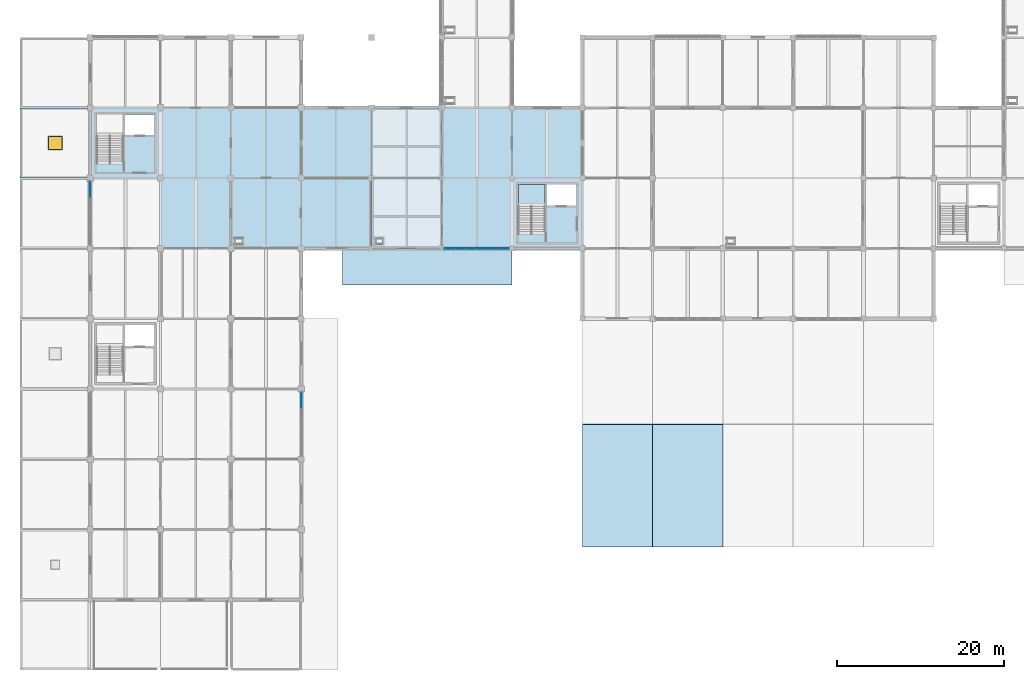
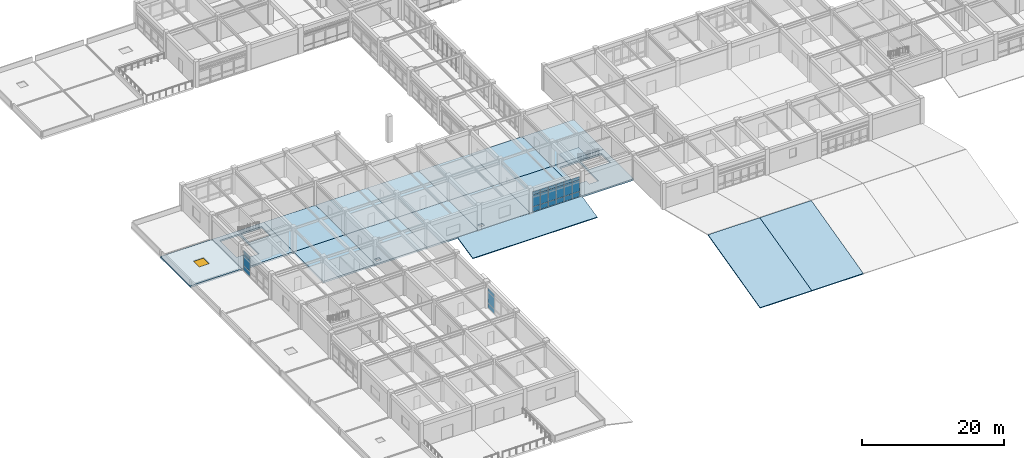
# One storey, part 43 of 78: 24 plates, 18 slabs, 1 window, 1 opening, 4 elements without a shape of their own.
"""IFC4 building model written with IfcOpenShell, lengths in metres."""

from ifc_helpers import new_model, si_unit, direction, frame, origin, origin_2d, place, context, subcontext, project, spatial, polyline, rectangle, outline, extrude, material, layer, layer_set, type_object, element, fill, aggregate, save


model = new_model("IFC4")

# Units and contexts
model_context = context("Model", 3, precision=1e-05, world=origin(), true_north=direction((0.0, 1.0)))
body_context = subcontext(model_context, "Body", "Model", "MODEL_VIEW")
ifc_project = project(units=[si_unit("LENGTHUNIT", "METRE"), si_unit("AREAUNIT", "SQUARE_METRE"), si_unit("VOLUMEUNIT", "CUBIC_METRE"), si_unit("PLANEANGLEUNIT", "RADIAN"), si_unit("MASSUNIT", "GRAM", prefix="KILO")], contexts=[model_context])

# Site, building, storey
site_placement = place(None, origin())
site = spatial("IfcSite", under=ifc_project, at=site_placement, CompositionType="ELEMENT")
building_placement = place(site_placement, origin())
building = spatial("IfcBuilding", under=site, at=building_placement, Name="Porcellanite Civic Hall", CompositionType="ELEMENT")
storey_placement = place(building_placement, frame((0.0, 0.0, 10.260009765625)))
storey = spatial("IfcBuildingStorey", under=building, at=storey_placement, Name="L02", CompositionType="ELEMENT", Elevation=10.260009765625)

# Curtain wall, plates
ifc_material_1 = material(Name="Anodised aluminium and solar laminated glass", Category="aluminium")
ifc_layer_1 = layer(ifc_material_1, 0.179931640625)
ifc_layer_set_1 = layer_set([ifc_layer_1], Name="Anodised aluminium and solar laminated glass")
curtain_wall_type_1 = type_object("IfcCurtainWallType", Name="CW-SYS07", PredefinedType="NOTDEFINED", material=ifc_layer_set_1)
curtain_wall_1_placement = place(storey_placement, origin())
curtain_wall_1 = element("IfcCurtainWall", 1, at=curtain_wall_1_placement, inside=storey, type_object=curtain_wall_type_1, Name="Curtain wall CW-141", PredefinedType="NOTDEFINED")
ifc_material_2 = material(Name="Cyclone laminated solar-control low-E glass", Category="glass")
ifc_layer_2 = layer(ifc_material_2, 0.02587890625)
ifc_layer_set_2 = layer_set([ifc_layer_2], Name="Cyclone laminated solar-control low-E glass")
plate_type_1 = type_object("IfcPlateType", Name="CWP-02", PredefinedType="CURTAIN_PANEL", material=ifc_layer_set_2)
plate_1_placement = place(storey_placement, frame((57.836181640625, 50.39990234375, 0.0498046875), z_axis=(0.0, 0.0, 1.0), x_axis=(-1.0, 0.0, 0.0)))
plate_1 = element("IfcPlate", 2, at=plate_1_placement, type_object=plate_type_1, Name="CW-141 panel 1.1", PredefinedType="CURTAIN_PANEL", context=body_context, shape_type="SweptSolid", body=[
    extrude(rectangle(XDim=1.20556640625, YDim=0.02587890625, at=origin_2d()), origin(), (0.0, 0.0, 1.0), 0.824951171875),
])
plate_2_placement = place(storey_placement, frame((57.836181640625, 50.39990234375, 0.925048828125), z_axis=(0.0, 0.0, 1.0), x_axis=(-1.0, 0.0, 0.0)))
plate_2 = element("IfcPlate", 3, at=plate_2_placement, type_object=plate_type_1, Name="CW-141 panel 1.2", PredefinedType="CURTAIN_PANEL", context=body_context, shape_type="SweptSolid", body=[
    extrude(rectangle(XDim=1.20556640625, YDim=0.02587890625, at=origin_2d()), origin(), (0.0, 0.0, 1.0), 1.93994140625),
])
plate_3_placement = place(storey_placement, frame((57.836181640625, 50.39990234375, 2.9150390625), z_axis=(0.0, 0.0, 1.0), x_axis=(-1.0, 0.0, 0.0)))
plate_3 = element("IfcPlate", 4, at=plate_3_placement, type_object=plate_type_1, Name="CW-141 panel 1.3", PredefinedType="CURTAIN_PANEL", context=body_context, shape_type="SweptSolid", body=[
    extrude(rectangle(XDim=1.20556640625, YDim=0.02587890625, at=origin_2d()), origin(), (0.0, 0.0, 1.0), 0.574951171875),
])
plate_4_placement = place(storey_placement, frame((56.5556640625, 50.39990234375, 0.0498046875), z_axis=(0.0, 0.0, 1.0), x_axis=(-1.0, 0.0, 0.0)))
plate_4 = element("IfcPlate", 5, at=plate_4_placement, type_object=plate_type_1, Name="CW-141 panel 2.1", PredefinedType="CURTAIN_PANEL", context=body_context, shape_type="SweptSolid", body=[
    extrude(rectangle(XDim=1.235595703125, YDim=0.02587890625, at=origin_2d()), origin(), (0.0, 0.0, 1.0), 0.824951171875),
])
plate_5_placement = place(storey_placement, frame((56.5556640625, 50.39990234375, 0.925048828125), z_axis=(0.0, 0.0, 1.0), x_axis=(-1.0, 0.0, 0.0)))
plate_5 = element("IfcPlate", 6, at=plate_5_placement, type_object=plate_type_1, Name="CW-141 panel 2.2", PredefinedType="CURTAIN_PANEL", context=body_context, shape_type="SweptSolid", body=[
    extrude(rectangle(XDim=1.235595703125, YDim=0.02587890625, at=origin_2d()), origin(), (0.0, 0.0, 1.0), 1.93994140625),
])
plate_6_placement = place(storey_placement, frame((56.5556640625, 50.39990234375, 2.9150390625), z_axis=(0.0, 0.0, 1.0), x_axis=(-1.0, 0.0, 0.0)))
plate_6 = element("IfcPlate", 7, at=plate_6_placement, type_object=plate_type_1, Name="CW-141 panel 2.3", PredefinedType="CURTAIN_PANEL", context=body_context, shape_type="SweptSolid", body=[
    extrude(rectangle(XDim=1.235595703125, YDim=0.02587890625, at=origin_2d()), origin(), (0.0, 0.0, 1.0), 0.574951171875),
])
plate_7_placement = place(storey_placement, frame((55.26025390625, 50.39990234375, 0.0498046875), z_axis=(0.0, 0.0, 1.0), x_axis=(-1.0, 0.0, 0.0)))
plate_7 = element("IfcPlate", 8, at=plate_7_placement, type_object=plate_type_1, Name="CW-141 panel 3.1", PredefinedType="CURTAIN_PANEL", context=body_context, shape_type="SweptSolid", body=[
    extrude(rectangle(XDim=1.235595703125, YDim=0.02587890625, at=origin_2d()), origin(), (0.0, 0.0, 1.0), 0.824951171875),
])
plate_8_placement = place(storey_placement, frame((55.26025390625, 50.39990234375, 0.925048828125), z_axis=(0.0, 0.0, 1.0), x_axis=(-1.0, 0.0, 0.0)))
plate_8 = element("IfcPlate", 9, at=plate_8_placement, type_object=plate_type_1, Name="CW-141 panel 3.2", PredefinedType="CURTAIN_PANEL", context=body_context, shape_type="SweptSolid", body=[
    extrude(rectangle(XDim=1.235595703125, YDim=0.02587890625, at=origin_2d()), origin(), (0.0, 0.0, 1.0), 1.93994140625),
])
plate_9_placement = place(storey_placement, frame((55.26025390625, 50.39990234375, 2.9150390625), z_axis=(0.0, 0.0, 1.0), x_axis=(-1.0, 0.0, 0.0)))
plate_9 = element("IfcPlate", 10, at=plate_9_placement, type_object=plate_type_1, Name="CW-141 panel 3.3", PredefinedType="CURTAIN_PANEL", context=body_context, shape_type="SweptSolid", body=[
    extrude(rectangle(XDim=1.235595703125, YDim=0.02587890625, at=origin_2d()), origin(), (0.0, 0.0, 1.0), 0.574951171875),
])
plate_10_placement = place(storey_placement, frame((53.96484375, 50.39990234375, 0.0498046875), z_axis=(0.0, 0.0, 1.0), x_axis=(-1.0, 0.0, 0.0)))
plate_10 = element("IfcPlate", 11, at=plate_10_placement, type_object=plate_type_1, Name="CW-141 panel 4.1", PredefinedType="CURTAIN_PANEL", context=body_context, shape_type="SweptSolid", body=[
    extrude(rectangle(XDim=1.235595703125, YDim=0.02587890625, at=origin_2d()), origin(), (0.0, 0.0, 1.0), 0.824951171875),
])
plate_11_placement = place(storey_placement, frame((53.96484375, 50.39990234375, 0.925048828125), z_axis=(0.0, 0.0, 1.0), x_axis=(-1.0, 0.0, 0.0)))
plate_11 = element("IfcPlate", 12, at=plate_11_placement, type_object=plate_type_1, Name="CW-141 panel 4.2", PredefinedType="CURTAIN_PANEL", context=body_context, shape_type="SweptSolid", body=[
    extrude(rectangle(XDim=1.235595703125, YDim=0.02587890625, at=origin_2d()), origin(), (0.0, 0.0, 1.0), 1.93994140625),
])
plate_12_placement = place(storey_placement, frame((53.96484375, 50.39990234375, 2.9150390625), z_axis=(0.0, 0.0, 1.0), x_axis=(-1.0, 0.0, 0.0)))
plate_12 = element("IfcPlate", 13, at=plate_12_placement, type_object=plate_type_1, Name="CW-141 panel 4.3", PredefinedType="CURTAIN_PANEL", context=body_context, shape_type="SweptSolid", body=[
    extrude(rectangle(XDim=1.235595703125, YDim=0.02587890625, at=origin_2d()), origin(), (0.0, 0.0, 1.0), 0.574951171875),
])
plate_13_placement = place(storey_placement, frame((52.669189453125, 50.39990234375, 0.0498046875), z_axis=(0.0, 0.0, 1.0), x_axis=(-1.0, 0.0, 0.0)))
plate_13 = element("IfcPlate", 14, at=plate_13_placement, type_object=plate_type_1, Name="CW-141 panel 5.1", PredefinedType="CURTAIN_PANEL", context=body_context, shape_type="SweptSolid", body=[
    extrude(rectangle(XDim=1.235595703125, YDim=0.02587890625, at=origin_2d()), origin(), (0.0, 0.0, 1.0), 0.824951171875),
])
plate_14_placement = place(storey_placement, frame((52.669189453125, 50.39990234375, 0.925048828125), z_axis=(0.0, 0.0, 1.0), x_axis=(-1.0, 0.0, 0.0)))
plate_14 = element("IfcPlate", 15, at=plate_14_placement, type_object=plate_type_1, Name="CW-141 panel 5.2", PredefinedType="CURTAIN_PANEL", context=body_context, shape_type="SweptSolid", body=[
    extrude(rectangle(XDim=1.235595703125, YDim=0.02587890625, at=origin_2d()), origin(), (0.0, 0.0, 1.0), 1.93994140625),
])
plate_15_placement = place(storey_placement, frame((52.669189453125, 50.39990234375, 2.9150390625), z_axis=(0.0, 0.0, 1.0), x_axis=(-1.0, 0.0, 0.0)))
plate_15 = element("IfcPlate", 16, at=plate_15_placement, type_object=plate_type_1, Name="CW-141 panel 5.3", PredefinedType="CURTAIN_PANEL", context=body_context, shape_type="SweptSolid", body=[
    extrude(rectangle(XDim=1.235595703125, YDim=0.02587890625, at=origin_2d()), origin(), (0.0, 0.0, 1.0), 0.574951171875),
])
plate_16_placement = place(storey_placement, frame((51.388671875, 50.39990234375, 0.0498046875), z_axis=(0.0, 0.0, 1.0), x_axis=(-1.0, 0.0, 0.0)))
plate_16 = element("IfcPlate", 17, at=plate_16_placement, type_object=plate_type_1, Name="CW-141 panel 6.1", PredefinedType="CURTAIN_PANEL", context=body_context, shape_type="SweptSolid", body=[
    extrude(rectangle(XDim=1.20556640625, YDim=0.02587890625, at=origin_2d()), origin(), (0.0, 0.0, 1.0), 0.824951171875),
])
plate_17_placement = place(storey_placement, frame((51.388671875, 50.39990234375, 0.925048828125), z_axis=(0.0, 0.0, 1.0), x_axis=(-1.0, 0.0, 0.0)))
plate_17 = element("IfcPlate", 18, at=plate_17_placement, type_object=plate_type_1, Name="CW-141 panel 6.2", PredefinedType="CURTAIN_PANEL", context=body_context, shape_type="SweptSolid", body=[
    extrude(rectangle(XDim=1.20556640625, YDim=0.02587890625, at=origin_2d()), origin(), (0.0, 0.0, 1.0), 1.93994140625),
])
plate_18_placement = place(storey_placement, frame((51.388671875, 50.39990234375, 2.9150390625), z_axis=(0.0, 0.0, 1.0), x_axis=(-1.0, 0.0, 0.0)))
plate_18 = element("IfcPlate", 19, at=plate_18_placement, type_object=plate_type_1, Name="CW-141 panel 6.3", PredefinedType="CURTAIN_PANEL", context=body_context, shape_type="SweptSolid", body=[
    extrude(rectangle(XDim=1.20556640625, YDim=0.02587890625, at=origin_2d()), origin(), (0.0, 0.0, 1.0), 0.574951171875),
])
aggregate(curtain_wall_1, [plate_1, plate_2, plate_3, plate_4, plate_5, plate_6, plate_7, plate_8, plate_9, plate_10, plate_11, plate_12, plate_13, plate_14, plate_15, plate_16, plate_17, plate_18])

ifc_material_3 = material(Name="Anodised aluminium and solar laminated glass", Category="aluminium")
ifc_layer_3 = layer(ifc_material_3, 0.179931640625)
ifc_layer_set_3 = layer_set([ifc_layer_3], Name="Anodised aluminium and solar laminated glass")
curtain_wall_type_2 = type_object("IfcCurtainWallType", Name="CW-SYS05", PredefinedType="NOTDEFINED", material=ifc_layer_set_3)
curtain_wall_2_placement = place(storey_placement, origin())
curtain_wall_2 = element("IfcCurtainWall", 20, at=curtain_wall_2_placement, inside=storey, type_object=curtain_wall_type_2, Name="Curtain wall CW-133", PredefinedType="NOTDEFINED")
ifc_material_4 = material(Name="Cyclone laminated solar-control low-E glass", Category="glass")
ifc_layer_4 = layer(ifc_material_4, 0.028076171875)
ifc_layer_set_4 = layer_set([ifc_layer_4], Name="Cyclone laminated solar-control low-E glass")
plate_type_2 = type_object("IfcPlateType", Name="CWP-03", PredefinedType="CURTAIN_PANEL", material=ifc_layer_set_4)
plate_19_placement = place(storey_placement, frame((8.39990234375, 57.447265625, 0.06005859375), z_axis=(0.0, 0.0, 1.0), x_axis=(0.0, 1.0, 0.0)))
plate_19 = element("IfcPlate", 21, at=plate_19_placement, type_object=plate_type_2, Name="CW-133 panel 4.1", PredefinedType="CURTAIN_PANEL", context=body_context, shape_type="SweptSolid", body=[
    extrude(rectangle(XDim=1.813232421875, YDim=0.028076171875, at=origin_2d()), origin(), (0.0, 0.0, 1.0), 0.81005859375),
])
plate_20_placement = place(storey_placement, frame((8.39990234375, 57.447265625, 0.93017578125), z_axis=(0.0, 0.0, 1.0), x_axis=(0.0, 1.0, 0.0)))
plate_20 = element("IfcPlate", 22, at=plate_20_placement, type_object=plate_type_2, Name="CW-133 panel 4.2", PredefinedType="CURTAIN_PANEL", context=body_context, shape_type="SweptSolid", body=[
    extrude(rectangle(XDim=1.813232421875, YDim=0.028076171875, at=origin_2d()), origin(), (0.0, 0.0, 1.0), 1.929931640625),
])
plate_21_placement = place(storey_placement, frame((8.39990234375, 57.447265625, 2.919921875), z_axis=(0.0, 0.0, 1.0), x_axis=(0.0, 1.0, 0.0)))
plate_21 = element("IfcPlate", 23, at=plate_21_placement, type_object=plate_type_2, Name="CW-133 panel 4.3", PredefinedType="CURTAIN_PANEL", context=body_context, shape_type="SweptSolid", body=[
    extrude(rectangle(XDim=1.813232421875, YDim=0.028076171875, at=origin_2d()), origin(), (0.0, 0.0, 1.0), 0.56005859375),
])
aggregate(curtain_wall_2, [plate_19, plate_20, plate_21])

curtain_wall_3_placement = place(storey_placement, origin())
curtain_wall_3 = element("IfcCurtainWall", 24, at=curtain_wall_3_placement, inside=storey, type_object=curtain_wall_type_2, Name="Curtain wall CW-135", PredefinedType="NOTDEFINED")
plate_22_placement = place(storey_placement, frame((33.60009765625, 32.247314453125, 0.06005859375), z_axis=(0.0, 0.0, 1.0), x_axis=(0.0, -1.0, 0.0)))
plate_22 = element("IfcPlate", 25, at=plate_22_placement, type_object=plate_type_2, Name="CW-135 panel 1.1", PredefinedType="CURTAIN_PANEL", context=body_context, shape_type="SweptSolid", body=[
    extrude(rectangle(XDim=1.813232421875, YDim=0.028076171875, at=origin_2d()), origin(), (0.0, 0.0, 1.0), 0.81005859375),
])
plate_23_placement = place(storey_placement, frame((33.60009765625, 32.247314453125, 0.93017578125), z_axis=(0.0, 0.0, 1.0), x_axis=(0.0, -1.0, 0.0)))
plate_23 = element("IfcPlate", 26, at=plate_23_placement, type_object=plate_type_2, Name="CW-135 panel 1.2", PredefinedType="CURTAIN_PANEL", context=body_context, shape_type="SweptSolid", body=[
    extrude(rectangle(XDim=1.813232421875, YDim=0.028076171875, at=origin_2d()), origin(), (0.0, 0.0, 1.0), 1.929931640625),
])
plate_24_placement = place(storey_placement, frame((33.60009765625, 32.247314453125, 2.919921875), z_axis=(0.0, 0.0, 1.0), x_axis=(0.0, -1.0, 0.0)))
plate_24 = element("IfcPlate", 27, at=plate_24_placement, type_object=plate_type_2, Name="CW-135 panel 1.3", PredefinedType="CURTAIN_PANEL", context=body_context, shape_type="SweptSolid", body=[
    extrude(rectangle(XDim=1.813232421875, YDim=0.028076171875, at=origin_2d()), origin(), (0.0, 0.0, 1.0), 0.56005859375),
])
aggregate(curtain_wall_3, [plate_22, plate_23, plate_24])

# Stair, slab
ifc_material_5 = material(Name="Concrete N40 (40 MPa)", Category="concrete")
stair_type = type_object("IfcStairType", Name="STR-HT25", PredefinedType="HALF_TURN_STAIR", material=ifc_material_5)
stair_placement = place(storey_placement, origin())
stair = element("IfcStair", 28, at=stair_placement, inside=storey, type_object=stair_type, Name="Fire stair ST-05 L02", PredefinedType="HALF_TURN_STAIR")
ifc_material_6 = material(Name="Concrete N40 (40 MPa)", Category="concrete")
ifc_layer_5 = layer(ifc_material_6, 0.179931640625)
ifc_layer_set_5 = layer_set([ifc_layer_5], Name="Concrete N40 (40 MPa)")
slab_type_1 = type_object("IfcSlabType", Name="LND-18", PredefinedType="LANDING", material=ifc_layer_set_5)
slab_1_placement = place(storey_placement, frame((0.0, 0.0, 2.159912109375)))
slab_1 = element("IfcSlab", 29, at=slab_1_placement, type_object=slab_type_1, Name="ST-05 landing 1", PredefinedType="LANDING", context=body_context, shape_type="SweptSolid", body=[
    extrude(outline(polyline([(59.560546875, 55.425048828125), (62.719482421875, 55.425048828125), (62.719482421875, 58.03955078125), (59.560546875, 58.03955078125), (59.560546875, 55.425048828125)])), origin(), (0.0, 0.0, 1.0), 0.18017578125),
])
aggregate(stair, [slab_1])

# Slabs
ifc_material_7 = material(Name="Concrete N40 (40 MPa)", Category="concrete")
ifc_layer_6 = layer(ifc_material_7, 0.280029296875)
ifc_layer_set_6 = layer_set([ifc_layer_6], Name="Concrete N40 (40 MPa)")
slab_type_2 = type_object("IfcSlabType", Name="SL-FL280", PredefinedType="FLOOR", material=ifc_layer_set_6)
slab_2_placement = place(storey_placement, frame((0.0, 0.0, -0.280029296875)))
element("IfcSlab", 30, at=slab_2_placement, inside=storey, type_object=slab_type_2, Name="Slab L02 bay 2-8", PredefinedType="FLOOR", context=body_context, shape_type="SweptSolid", body=[
    extrude(outline(polyline([(8.39990234375, 58.800048828125), (16.800048828125, 58.800048828125), (16.800048828125, 67.199951171875), (8.39990234375, 67.199951171875), (8.39990234375, 58.800048828125)]), holes=[polyline([(9.179931640625, 61.64990234375), (10.760009765625, 61.64990234375), (10.760009765625, 60.800048828125), (12.320068359375, 60.800048828125), (12.320068359375, 66.419921875), (9.179931640625, 66.419921875), (9.179931640625, 61.64990234375)]), polyline([(12.56005859375, 63.93994140625), (16.02001953125, 63.93994140625), (16.02001953125, 66.419921875), (12.56005859375, 66.419921875), (12.56005859375, 63.93994140625)])]), origin(), (0.0, 0.0, 1.0), 0.280029296875),
])
slab_3_placement = place(storey_placement, frame((0.0, 0.0, -0.280029296875)))
element("IfcSlab", 31, at=slab_3_placement, inside=storey, type_object=slab_type_2, Name="Slab L02 bay 3-7", PredefinedType="FLOOR", context=body_context, shape_type="SweptSolid", body=[
    extrude(outline(polyline([(16.800048828125, 50.39990234375), (25.199951171875, 50.39990234375), (25.199951171875, 58.800048828125), (16.800048828125, 58.800048828125), (16.800048828125, 50.39990234375)])), origin(), (0.0, 0.0, 1.0), 0.280029296875),
])
slab_4_placement = place(storey_placement, frame((0.0, 0.0, -0.280029296875)))
element("IfcSlab", 32, at=slab_4_placement, inside=storey, type_object=slab_type_2, Name="Slab L02 bay 3-8", PredefinedType="FLOOR", context=body_context, shape_type="SweptSolid", body=[
    extrude(outline(polyline([(16.800048828125, 58.800048828125), (25.199951171875, 58.800048828125), (25.199951171875, 67.199951171875), (16.800048828125, 67.199951171875), (16.800048828125, 58.800048828125)])), origin(), (0.0, 0.0, 1.0), 0.280029296875),
])
slab_5_placement = place(storey_placement, frame((0.0, 0.0, -0.280029296875)))
element("IfcSlab", 33, at=slab_5_placement, inside=storey, type_object=slab_type_2, Name="Slab L02 bay 4-7", PredefinedType="FLOOR", context=body_context, shape_type="SweptSolid", body=[
    extrude(outline(polyline([(25.199951171875, 50.39990234375), (33.60009765625, 50.39990234375), (33.60009765625, 58.800048828125), (25.199951171875, 58.800048828125), (25.199951171875, 50.39990234375)]), holes=[polyline([(25.75, 50.949951171875), (26.550048828125, 50.949951171875), (26.550048828125, 51.550048828125), (25.75, 51.550048828125), (25.75, 50.949951171875)])]), origin(), (0.0, 0.0, 1.0), 0.280029296875),
])
slab_6_placement = place(storey_placement, frame((0.0, 0.0, -0.280029296875)))
element("IfcSlab", 34, at=slab_6_placement, inside=storey, type_object=slab_type_2, Name="Slab L02 bay 4-8", PredefinedType="FLOOR", context=body_context, shape_type="SweptSolid", body=[
    extrude(outline(polyline([(25.199951171875, 58.800048828125), (33.60009765625, 58.800048828125), (33.60009765625, 67.199951171875), (25.199951171875, 67.199951171875), (25.199951171875, 58.800048828125)])), origin(), (0.0, 0.0, 1.0), 0.280029296875),
])
slab_7_placement = place(storey_placement, frame((0.0, 0.0, -0.280029296875)))
element("IfcSlab", 35, at=slab_7_placement, inside=storey, type_object=slab_type_2, Name="Slab L02 bay 5-7", PredefinedType="FLOOR", context=body_context, shape_type="SweptSolid", body=[
    extrude(outline(polyline([(33.60009765625, 50.39990234375), (42.0, 50.39990234375), (42.0, 58.800048828125), (33.60009765625, 58.800048828125), (33.60009765625, 50.39990234375)])), origin(), (0.0, 0.0, 1.0), 0.280029296875),
])
slab_8_placement = place(storey_placement, frame((0.0, 0.0, -0.280029296875)))
element("IfcSlab", 36, at=slab_8_placement, inside=storey, type_object=slab_type_2, Name="Slab L02 bay 5-8", PredefinedType="FLOOR", context=body_context, shape_type="SweptSolid", body=[
    extrude(outline(polyline([(33.60009765625, 58.800048828125), (42.0, 58.800048828125), (42.0, 67.199951171875), (33.60009765625, 67.199951171875), (33.60009765625, 58.800048828125)])), origin(), (0.0, 0.0, 1.0), 0.280029296875),
])
slab_9_placement = place(storey_placement, frame((0.0, 0.0, -0.280029296875)))
element("IfcSlab", 37, at=slab_9_placement, inside=storey, type_object=slab_type_2, Name="Slab L02 bay 6-7", PredefinedType="FLOOR", context=body_context, shape_type="SweptSolid", body=[
    extrude(outline(polyline([(42.0, 50.39990234375), (50.39990234375, 50.39990234375), (50.39990234375, 58.800048828125), (42.0, 58.800048828125), (42.0, 50.39990234375)]), holes=[polyline([(42.550048828125, 50.949951171875), (43.35009765625, 50.949951171875), (43.35009765625, 51.550048828125), (42.550048828125, 51.550048828125), (42.550048828125, 50.949951171875)])]), origin(), (0.0, 0.0, 1.0), 0.280029296875),
])
slab_10_placement = place(storey_placement, frame((0.0, 0.0, -0.280029296875)))
element("IfcSlab", 38, at=slab_10_placement, inside=storey, type_object=slab_type_2, Name="Slab L02 bay 6-8", PredefinedType="FLOOR", context=body_context, shape_type="SweptSolid", body=[
    extrude(outline(polyline([(42.0, 58.800048828125), (50.39990234375, 58.800048828125), (50.39990234375, 67.199951171875), (42.0, 67.199951171875), (42.0, 58.800048828125)])), origin(), (0.0, 0.0, 1.0), 0.280029296875),
])
slab_11_placement = place(storey_placement, frame((0.0, 0.0, -0.280029296875)))
element("IfcSlab", 39, at=slab_11_placement, inside=storey, type_object=slab_type_2, Name="Slab L02 bay 7-7", PredefinedType="FLOOR", context=body_context, shape_type="SweptSolid", body=[
    extrude(outline(polyline([(50.39990234375, 50.39990234375), (58.800048828125, 50.39990234375), (58.800048828125, 58.800048828125), (50.39990234375, 58.800048828125), (50.39990234375, 50.39990234375)])), origin(), (0.0, 0.0, 1.0), 0.280029296875),
])
slab_12_placement = place(storey_placement, frame((0.0, 0.0, -0.280029296875)))
element("IfcSlab", 40, at=slab_12_placement, inside=storey, type_object=slab_type_2, Name="Slab L02 bay 7-8", PredefinedType="FLOOR", context=body_context, shape_type="SweptSolid", body=[
    extrude(outline(polyline([(50.39990234375, 58.800048828125), (58.800048828125, 58.800048828125), (58.800048828125, 67.199951171875), (50.39990234375, 67.199951171875), (50.39990234375, 58.800048828125)])), origin(), (0.0, 0.0, 1.0), 0.280029296875),
])
slab_13_placement = place(storey_placement, frame((0.0, 0.0, -0.280029296875)))
element("IfcSlab", 41, at=slab_13_placement, inside=storey, type_object=slab_type_2, Name="Slab L02 bay 8-7", PredefinedType="FLOOR", context=body_context, shape_type="SweptSolid", body=[
    extrude(outline(polyline([(58.800048828125, 50.39990234375), (67.199951171875, 50.39990234375), (67.199951171875, 58.800048828125), (58.800048828125, 58.800048828125), (58.800048828125, 50.39990234375)]), holes=[polyline([(59.580078125, 53.25), (61.159912109375, 53.25), (61.159912109375, 52.39990234375), (62.719970703125, 52.39990234375), (62.719970703125, 58.02001953125), (59.580078125, 58.02001953125), (59.580078125, 53.25)]), polyline([(62.9599609375, 55.5400390625), (66.419921875, 55.5400390625), (66.419921875, 58.02001953125), (62.9599609375, 58.02001953125), (62.9599609375, 55.5400390625)])]), origin(), (0.0, 0.0, 1.0), 0.280029296875),
])
slab_14_placement = place(storey_placement, frame((0.0, 0.0, -0.280029296875)))
element("IfcSlab", 42, at=slab_14_placement, inside=storey, type_object=slab_type_2, Name="Slab L02 bay 8-8", PredefinedType="FLOOR", context=body_context, shape_type="SweptSolid", body=[
    extrude(outline(polyline([(58.800048828125, 58.800048828125), (67.199951171875, 58.800048828125), (67.199951171875, 67.199951171875), (58.800048828125, 67.199951171875), (58.800048828125, 58.800048828125)])), origin(), (0.0, 0.0, 1.0), 0.280029296875),
])
ifc_material_8 = material(Name="Concrete N40 (40 MPa)", Category="concrete")
ifc_layer_7 = layer(ifc_material_8, 0.159912109375)
ifc_layer_set_7 = layer_set([ifc_layer_7], Name="Concrete N40 (40 MPa)")
slab_type_3 = type_object("IfcSlabType", Name="SL-MON160", PredefinedType="ROOF", material=ifc_layer_set_7)
slab_15_placement = place(storey_placement, frame((67.199951171875, 14.699951171875, -0.523681640625), z_axis=(0.0, -0.241927454458, 0.97029434028), x_axis=(1.0, 0.0, 0.0)))
element("IfcSlab", 43, at=slab_15_placement, inside=storey, type_object=slab_type_3, Name="Public Hall monsoon roof south 8", PredefinedType="ROOF", context=body_context, shape_type="SweptSolid", body=[
    extrude(outline(polyline([(0.0, 0.0), (8.400146484375, 0.0), (8.400146484375, 15.11401072201141), (0.0, 15.11401072201141), (0.0, 0.0)])), origin(), (0.0, 0.0, -1.0), 0.159912109375),
])
slab_16_placement = place(storey_placement, frame((75.60009765625, 14.699951171875, -0.523681640625), z_axis=(0.0, -0.241927454458, 0.97029434028), x_axis=(1.0, 0.0, 0.0)))
element("IfcSlab", 44, at=slab_16_placement, inside=storey, type_object=slab_type_3, Name="Public Hall monsoon roof south 9", PredefinedType="ROOF", context=body_context, shape_type="SweptSolid", body=[
    extrude(outline(polyline([(0.0, 0.0), (8.39990234375, 0.0), (8.39990234375, 15.114010722011411), (0.0, 15.114010722011411), (0.0, 0.0)])), origin(), (0.0, 0.0, -1.0), 0.159912109375),
])
slab_17_placement = place(storey_placement, frame((38.550048828125, 46.0, -0.9755859375), z_axis=(0.0, -0.2182604073, 0.975890564872), x_axis=(1.0, 0.0, 0.0)))
element("IfcSlab", 45, at=slab_17_placement, inside=storey, type_object=slab_type_3, Name="Square colonnade monsoon roof COL-NW", PredefinedType="ROOF", context=body_context, shape_type="SweptSolid", body=[
    extrude(outline(polyline([(0.0, 0.0), (20.25, 0.0), (20.25, 4.469825515168482), (0.0, 4.469825515168482), (0.0, 0.0)])), origin(), (0.0, 0.0, -1.0), 0.159912109375),
])

# Slab, opening, window
ifc_material_9 = material(Name="Concrete N40 (40 MPa)", Category="concrete")
ifc_layer_8 = layer(ifc_material_9, 0.300048828125)
ifc_layer_set_8 = layer_set([ifc_layer_8], Name="Concrete N40 (40 MPa)")
slab_type_4 = type_object("IfcSlabType", Name="SL-RF300", PredefinedType="ROOF", material=ifc_layer_set_8)
slab_18_placement = place(storey_placement, frame((0.0, 0.0, -0.300048828125)))
slab_18 = element("IfcSlab", 46, at=slab_18_placement, inside=storey, type_object=slab_type_4, Name="Roof slab L02 1-8", PredefinedType="ROOF", context=body_context, shape_type="SweptSolid", body=[
    extrude(outline(polyline([(0.0, 58.800048828125), (8.39990234375, 58.800048828125), (8.39990234375, 67.199951171875), (0.0, 67.199951171875), (0.0, 58.800048828125)])), origin(), (0.0, 0.0, 1.0), 0.300048828125),
])
opening_placement = place(slab_18_placement, frame((4.199951171875, 63.0, 0.0)))
opening = element("IfcOpeningElement", 47, at=opening_placement, cuts=slab_18, Name="Opening SK8", PredefinedType="OPENING", context=body_context, shape_type="SweptSolid", body=[
    extrude(rectangle(XDim=1.60009765625, YDim=1.60009765625, at=origin_2d()), origin(), (0.0, 0.0, 1.0), 0.300048828125),
])
ifc_material_10 = material(Name="Cyclone laminated low-E glazing in anodised aluminium frame", Category="aluminium")
window_type = type_object("IfcWindowType", Name="SK-08", PartitioningType="SINGLE_PANEL", PredefinedType="SKYLIGHT", material=ifc_material_10)
window_placement = place(opening_placement, frame((0.0, 0.0, 0.25)))
window = element("IfcWindow", 48, at=window_placement, inside=storey, type_object=window_type, Name="Roof skylight SK8 L02 1-8", OverallHeight=1.60009765625, OverallWidth=1.60009765625, PartitioningType="SINGLE_PANEL", PredefinedType="SKYLIGHT", context=body_context, shape_type="SweptSolid", body=[
    extrude(rectangle(XDim=1.60009765625, YDim=1.60009765625, at=origin_2d()), origin(), (0.0, 0.0, 1.0), 0.050048828125),
])
fill(opening, window)

save(model, "model.ifc")
